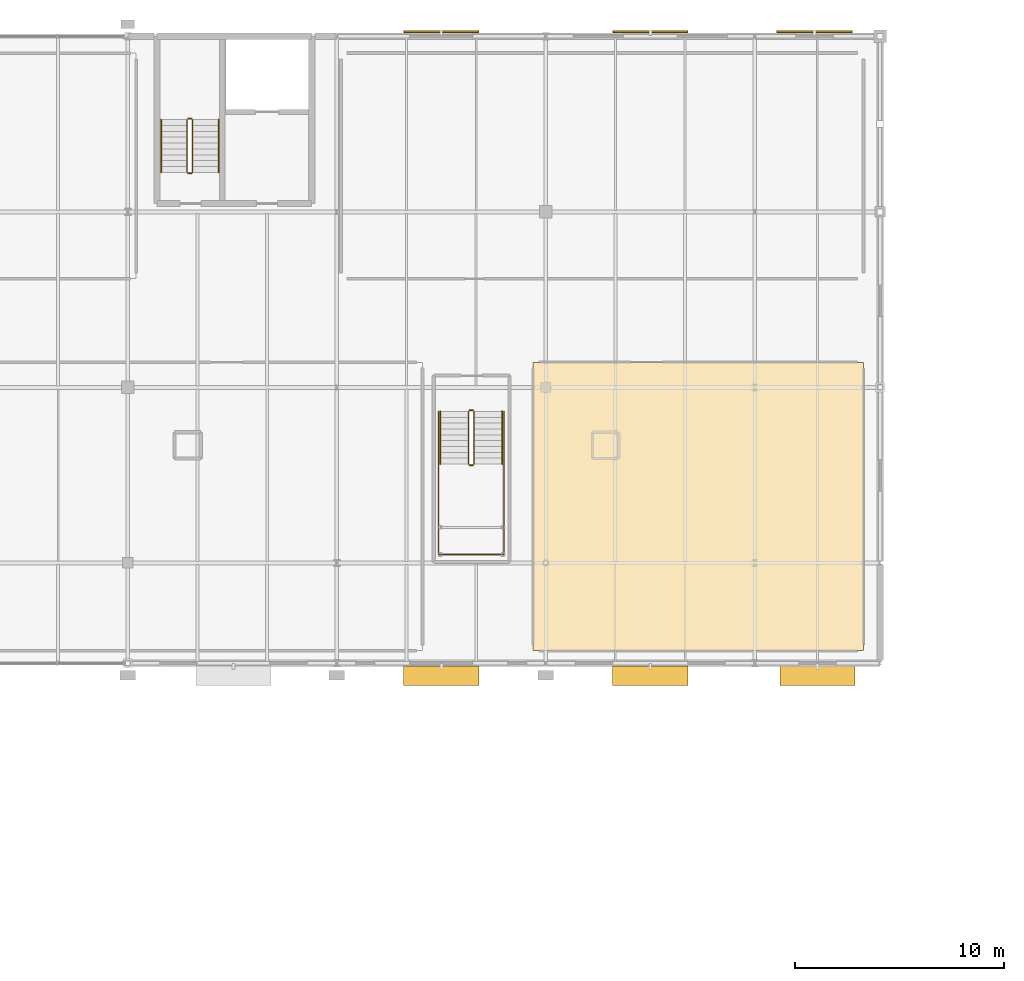
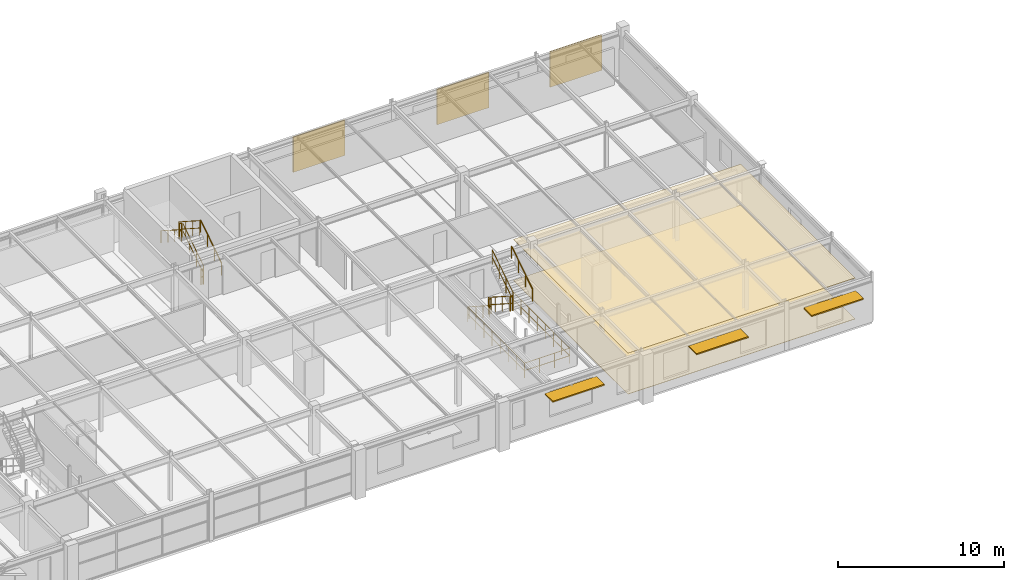
# One storey, part 109 of 109: 15 railings, 6 shading devices, 2 coverings.
"""IFC4 building model written with IfcOpenShell, lengths in metres."""

from ifc_helpers import new_model, si_unit, derived_unit, direction, frame, origin, origin_2d_with_axis, place, context, subcontext, project, spatial, polyline, rectangle, circle, outline, extrude, material, layer, layer_set, type_object, element, save


model = new_model("IFC4")

# Units and contexts
model_context = context("Model", 3, precision=1e-05, world=origin(), true_north=direction((0.0, 1.0)))
body_context = subcontext(model_context, "Body", "Model", "MODEL_VIEW")
ifc_project = project(units=[si_unit("LENGTHUNIT", "METRE"), si_unit("AREAUNIT", "SQUARE_METRE"), si_unit("VOLUMEUNIT", "CUBIC_METRE"), si_unit("PLANEANGLEUNIT", "RADIAN"), si_unit("MASSUNIT", "GRAM", prefix="KILO"), derived_unit("THERMALTRANSMITTANCEUNIT", [(si_unit("POWERUNIT", "WATT"), 1), (si_unit("LENGTHUNIT", "METRE"), -2), (si_unit("THERMODYNAMICTEMPERATUREUNIT", "KELVIN"), -1)])], contexts=[model_context])

# Site, building, storey
site_placement = place(None, origin())
site = spatial("IfcSite", under=ifc_project, at=site_placement, CompositionType="ELEMENT")
building_placement = place(site_placement, origin())
building = spatial("IfcBuilding", under=site, at=building_placement, Name="Cinnabar Yard Market Hall", CompositionType="ELEMENT")
storey_placement = place(building_placement, frame((0.0, 0.0, 8.39990234375)))
storey = spatial("IfcBuildingStorey", under=building, at=storey_placement, Name="L02", CompositionType="ELEMENT", Elevation=8.39990234375)

# Coverings
ifc_material_1 = material(Name="Perforated acoustic spotted-gum timber slats", Category="wood")
ifc_layer_1 = layer(ifc_material_1, 0.0400390625)
ifc_layer_set_1 = layer_set([ifc_layer_1], Name="Perforated acoustic spotted-gum timber slats")
covering_type_1 = type_object("IfcCoveringType", Name="COV-CLG1", PredefinedType="CEILING", material=ifc_layer_set_1)
covering_1_placement = place(storey_placement, frame((0.0, 0.0, 3.0)))
element("IfcCovering", 1, at=covering_1_placement, inside=storey, type_object=covering_type_1, Name="Ceiling Gastronomy and Cookbook Library", PredefinedType="CEILING", context=body_context, shape_type="SweptSolid", body=[
    extrude(outline(polyline([(145.39990234375, 108.60009765625), (161.199951171875, 108.60009765625), (161.199951171875, 122.39990234375), (145.39990234375, 122.39990234375), (145.39990234375, 108.60009765625)])), origin(), (0.0, 0.0, 1.0), 0.03515625),
])
ifc_material_2 = material(Name="Honed Adelaide red terrazzo flooring")
ifc_layer_2 = layer(ifc_material_2, 0.030029296875)
ifc_layer_set_2 = layer_set([ifc_layer_2], Name="Honed Adelaide red terrazzo flooring")
covering_type_2 = type_object("IfcCoveringType", Name="COV-FLR1", PredefinedType="FLOORING", material=ifc_layer_set_2)
covering_2_placement = place(storey_placement, origin())
element("IfcCovering", 2, at=covering_2_placement, inside=storey, type_object=covering_type_2, Name="Flooring Gastronomy and Cookbook Library", PredefinedType="FLOORING", context=body_context, shape_type="SweptSolid", body=[
    extrude(outline(polyline([(145.39990234375, 108.60009765625), (161.199951171875, 108.60009765625), (161.199951171875, 122.39990234375), (145.39990234375, 122.39990234375), (145.39990234375, 108.60009765625)])), origin(), (0.0, 0.0, 1.0), 0.025146484375),
])

# Railings
ifc_material_3 = material(Name="Laminated glass and bronze handrail", Category="glass")
ifc_layer_3 = layer(ifc_material_3, 0.070068359375)
ifc_layer_set_3 = layer_set([ifc_layer_3], Name="Laminated glass and bronze handrail")
railing_type_1 = type_object("IfcRailingType", Name="RL-G01", PredefinedType="BALUSTRADE", material=ifc_layer_set_3)
railing_1_placement = place(storey_placement, frame((142.300048828125, 120.050048828125, 0.18017578125)))
element("IfcRailing", 3, at=railing_1_placement, inside=storey, type_object=railing_type_1, Name="L02 ST-F6 stair guard 1", PredefinedType="BALUSTRADE", context=body_context, shape_type="SweptSolid", body=[
    extrude(circle(Radius=0.02392578125, at=origin_2d_with_axis()), frame((0.0, 0.0, 1.09619140625), z_axis=(0.0, -0.841199657755, 0.540724639528), x_axis=(1.0, 0.0, 0.0)), (0.0, 0.0, 1.0), 2.995849609375),
    extrude(circle(Radius=0.02392578125, at=origin_2d_with_axis()), frame((0.0, 0.0, 0.550048828125), z_axis=(0.0, -0.841199657755, 0.540724639528), x_axis=(1.0, 0.0, 0.0)), (0.0, 0.0, 1.0), 2.995849609375),
    extrude(circle(Radius=0.02099609375, at=origin_2d_with_axis()), origin(), (0.0, 0.0, 1.0), 1.072021484375),
    extrude(circle(Radius=0.02099609375, at=origin_2d_with_axis()), frame((0.0, -0.840087890625, 0.5400390625)), (0.0, 0.0, 1.0), 1.072021484375),
    extrude(circle(Radius=0.02099609375, at=origin_2d_with_axis()), frame((0.0, -1.679931640625, 1.079833984375)), (0.0, 0.0, 1.0), 1.072021484375),
    extrude(circle(Radius=0.02099609375, at=origin_2d_with_axis()), frame((0.0, -2.52001953125, 1.619873046875)), (0.0, 0.0, 1.0), 1.072021484375),
])
railing_2_placement = place(storey_placement, frame((142.35009765625, 117.47998046875, 1.800048828125)))
element("IfcRailing", 4, at=railing_2_placement, inside=storey, type_object=railing_type_1, Name="L02 ST-F6 stair guard 2", PredefinedType="BALUSTRADE", context=body_context, shape_type="SweptSolid", body=[
    extrude(circle(Radius=0.02392578125, at=origin_2d_with_axis()), frame((0.0, 0.0, 1.09619140625), z_axis=(1.0, 0.0, 0.0), x_axis=(0.0, 1.0, 0.0)), (0.0, 0.0, 1.0), 0.159912109375),
    extrude(circle(Radius=0.02392578125, at=origin_2d_with_axis()), frame((0.0, 0.0, 0.550048828125), z_axis=(1.0, 0.0, 0.0), x_axis=(0.0, 1.0, 0.0)), (0.0, 0.0, 1.0), 0.159912109375),
    extrude(circle(Radius=0.02099609375, at=origin_2d_with_axis()), origin(), (0.0, 0.0, 1.0), 1.072021484375),
    extrude(circle(Radius=0.02099609375, at=origin_2d_with_axis()), frame((0.159912109375, 0.0, 0.0)), (0.0, 0.0, 1.0), 1.072021484375),
])
railing_3_placement = place(storey_placement, frame((142.56005859375, 117.530029296875, 1.97998046875)))
element("IfcRailing", 5, at=railing_3_placement, inside=storey, type_object=railing_type_1, Name="L02 ST-F6 stair guard 3", PredefinedType="BALUSTRADE", context=body_context, shape_type="SweptSolid", body=[
    extrude(circle(Radius=0.02392578125, at=origin_2d_with_axis()), frame((0.0, 0.0, 1.09619140625), z_axis=(0.0, 0.841162588446, 0.540782303519), x_axis=(-1.0, 0.0, 0.0)), (0.0, 0.0, 1.0), 2.995849609375),
    extrude(circle(Radius=0.02392578125, at=origin_2d_with_axis()), frame((0.0, 0.0, 0.550048828125), z_axis=(0.0, 0.841162588446, 0.540782303519), x_axis=(-1.0, 0.0, 0.0)), (0.0, 0.0, 1.0), 2.995849609375),
    extrude(circle(Radius=0.02099609375, at=origin_2d_with_axis()), origin(), (0.0, 0.0, 1.0), 1.072021484375),
    extrude(circle(Radius=0.02099609375, at=origin_2d_with_axis()), frame((0.0, 0.840087890625, 0.5400390625)), (0.0, 0.0, 1.0), 1.072021484375),
    extrude(circle(Radius=0.02099609375, at=origin_2d_with_axis()), frame((0.0, 1.679931640625, 1.080078125)), (0.0, 0.0, 1.0), 1.072021484375),
    extrude(circle(Radius=0.02099609375, at=origin_2d_with_axis()), frame((0.0, 2.52001953125, 1.6201171875)), (0.0, 0.0, 1.0), 1.072021484375),
])
railing_4_placement = place(storey_placement, frame((142.35009765625, 120.10009765625, 0.0)))
element("IfcRailing", 6, at=railing_4_placement, inside=storey, type_object=railing_type_1, Name="L02 ST-F6 stair guard 4", PredefinedType="BALUSTRADE", context=body_context, shape_type="SweptSolid", body=[
    extrude(circle(Radius=0.02392578125, at=origin_2d_with_axis()), frame((0.0, 0.0, 1.09619140625), z_axis=(1.0, 0.0, 0.0), x_axis=(0.0, 1.0, 0.0)), (0.0, 0.0, 1.0), 0.159912109375),
    extrude(circle(Radius=0.02392578125, at=origin_2d_with_axis()), frame((0.0, 0.0, 0.550048828125), z_axis=(1.0, 0.0, 0.0), x_axis=(0.0, 1.0, 0.0)), (0.0, 0.0, 1.0), 0.159912109375),
    extrude(circle(Radius=0.02099609375, at=origin_2d_with_axis()), origin(), (0.0, 0.0, 1.0), 1.072021484375),
    extrude(circle(Radius=0.02099609375, at=origin_2d_with_axis()), frame((0.159912109375, 0.0, 0.0)), (0.0, 0.0, 1.0), 1.072021484375),
])
railing_5_placement = place(storey_placement, frame((140.860107421875, 120.050048828125, 0.0)))
element("IfcRailing", 7, at=railing_5_placement, inside=storey, type_object=railing_type_1, Name="Feature Stair ST-F6 L02 Well Guard 1", PredefinedType="BALUSTRADE", context=body_context, shape_type="SweptSolid", body=[
    extrude(circle(Radius=0.02392578125, at=origin_2d_with_axis()), frame((0.0, 0.0, 1.09619140625), z_axis=(0.0, -1.0, 0.0), x_axis=(1.0, 0.0, 0.0)), (0.0, 0.0, 1.0), 6.840087890625),
    extrude(circle(Radius=0.02392578125, at=origin_2d_with_axis()), frame((0.0, 0.0, 0.550048828125), z_axis=(0.0, -1.0, 0.0), x_axis=(1.0, 0.0, 0.0)), (0.0, 0.0, 1.0), 6.840087890625),
    extrude(circle(Radius=0.02099609375, at=origin_2d_with_axis()), origin(), (0.0, 0.0, 1.0), 1.072021484375),
    extrude(circle(Radius=0.02099609375, at=origin_2d_with_axis()), frame((0.0, -0.97705078125, 0.0)), (0.0, 0.0, 1.0), 1.072021484375),
    extrude(circle(Radius=0.02099609375, at=origin_2d_with_axis()), frame((0.0, -1.954345703125, 0.0)), (0.0, 0.0, 1.0), 1.072021484375),
    extrude(circle(Radius=0.02099609375, at=origin_2d_with_axis()), frame((0.0, -2.931396484375, 0.0)), (0.0, 0.0, 1.0), 1.072021484375),
    extrude(circle(Radius=0.02099609375, at=origin_2d_with_axis()), frame((0.0, -3.90869140625, 0.0)), (0.0, 0.0, 1.0), 1.072021484375),
    extrude(circle(Radius=0.02099609375, at=origin_2d_with_axis()), frame((0.0, -4.8857421875, 0.0)), (0.0, 0.0, 1.0), 1.072021484375),
    extrude(circle(Radius=0.02099609375, at=origin_2d_with_axis()), frame((0.0, -5.863037109375, 0.0)), (0.0, 0.0, 1.0), 1.072021484375),
    extrude(circle(Radius=0.02099609375, at=origin_2d_with_axis()), frame((0.0, -6.840087890625, 0.0)), (0.0, 0.0, 1.0), 1.072021484375),
])
railing_6_placement = place(storey_placement, frame((140.860107421875, 113.2099609375, 0.0)))
element("IfcRailing", 8, at=railing_6_placement, inside=storey, type_object=railing_type_1, Name="Feature Stair ST-F6 L02 Well Guard 2", PredefinedType="BALUSTRADE", context=body_context, shape_type="SweptSolid", body=[
    extrude(circle(Radius=0.02392578125, at=origin_2d_with_axis()), frame((0.0, 0.0, 1.09619140625), z_axis=(1.0, 0.0, 0.0), x_axis=(0.0, 1.0, 0.0)), (0.0, 0.0, 1.0), 3.139892578125),
    extrude(circle(Radius=0.02392578125, at=origin_2d_with_axis()), frame((0.0, 0.0, 0.550048828125), z_axis=(1.0, 0.0, 0.0), x_axis=(0.0, 1.0, 0.0)), (0.0, 0.0, 1.0), 3.139892578125),
    extrude(circle(Radius=0.02099609375, at=origin_2d_with_axis()), origin(), (0.0, 0.0, 1.0), 1.072021484375),
    extrude(circle(Radius=0.02099609375, at=origin_2d_with_axis()), frame((1.046630859375, 0.0, 0.0)), (0.0, 0.0, 1.0), 1.072021484375),
    extrude(circle(Radius=0.02099609375, at=origin_2d_with_axis()), frame((2.09326171875, 0.0, 0.0)), (0.0, 0.0, 1.0), 1.072021484375),
    extrude(circle(Radius=0.02099609375, at=origin_2d_with_axis()), frame((3.139892578125, 0.0, 0.0)), (0.0, 0.0, 1.0), 1.072021484375),
])
railing_7_placement = place(storey_placement, frame((144.0, 113.2099609375, 0.0)))
element("IfcRailing", 9, at=railing_7_placement, inside=storey, type_object=railing_type_1, Name="Feature Stair ST-F6 L02 Well Guard 3", PredefinedType="BALUSTRADE", context=body_context, shape_type="SweptSolid", body=[
    extrude(circle(Radius=0.02392578125, at=origin_2d_with_axis()), frame((0.0, 0.0, 1.09619140625), z_axis=(0.0, 1.0, 0.0), x_axis=(-1.0, 0.0, 0.0)), (0.0, 0.0, 1.0), 6.840087890625),
    extrude(circle(Radius=0.02392578125, at=origin_2d_with_axis()), frame((0.0, 0.0, 0.550048828125), z_axis=(0.0, 1.0, 0.0), x_axis=(-1.0, 0.0, 0.0)), (0.0, 0.0, 1.0), 6.840087890625),
    extrude(circle(Radius=0.02099609375, at=origin_2d_with_axis()), origin(), (0.0, 0.0, 1.0), 1.072021484375),
    extrude(circle(Radius=0.02099609375, at=origin_2d_with_axis()), frame((0.0, 0.97705078125, 0.0)), (0.0, 0.0, 1.0), 1.072021484375),
    extrude(circle(Radius=0.02099609375, at=origin_2d_with_axis()), frame((0.0, 1.954345703125, 0.0)), (0.0, 0.0, 1.0), 1.072021484375),
    extrude(circle(Radius=0.02099609375, at=origin_2d_with_axis()), frame((0.0, 2.931396484375, 0.0)), (0.0, 0.0, 1.0), 1.072021484375),
    extrude(circle(Radius=0.02099609375, at=origin_2d_with_axis()), frame((0.0, 3.90869140625, 0.0)), (0.0, 0.0, 1.0), 1.072021484375),
    extrude(circle(Radius=0.02099609375, at=origin_2d_with_axis()), frame((0.0, 4.8857421875, 0.0)), (0.0, 0.0, 1.0), 1.072021484375),
    extrude(circle(Radius=0.02099609375, at=origin_2d_with_axis()), frame((0.0, 5.863037109375, 0.0)), (0.0, 0.0, 1.0), 1.072021484375),
    extrude(circle(Radius=0.02099609375, at=origin_2d_with_axis()), frame((0.0, 6.840087890625, 0.0)), (0.0, 0.0, 1.0), 1.072021484375),
])
ifc_material_4 = material(Name="Galvanised steel Grade 300 (300 MPa) guardrail", Category="steel")
ifc_layer_4 = layer(ifc_material_4, 0.06005859375)
ifc_layer_set_4 = layer_set([ifc_layer_4], Name="Galvanised steel Grade 300 (300 MPa) guardrail")
railing_type_2 = type_object("IfcRailingType", Name="RL-G03", PredefinedType="GUARDRAIL", material=ifc_layer_set_4)
railing_8_placement = place(storey_placement, frame((129.10009765625, 131.489990234375, 0.18017578125)))
element("IfcRailing", 10, at=railing_8_placement, inside=storey, type_object=railing_type_2, Name="L02 ST-C6 stair guard 1", PredefinedType="GUARDRAIL", context=body_context, shape_type="SweptSolid", body=[
    extrude(circle(Radius=0.02392578125, at=origin_2d_with_axis()), frame((0.0, 0.0, 1.09619140625), z_axis=(0.0, 0.841199657755, 0.540724639528), x_axis=(-1.0, 0.0, 0.0)), (0.0, 0.0, 1.0), 2.995849609375),
    extrude(circle(Radius=0.02392578125, at=origin_2d_with_axis()), frame((0.0, 0.0, 0.550048828125), z_axis=(0.0, 0.841199657755, 0.540724639528), x_axis=(-1.0, 0.0, 0.0)), (0.0, 0.0, 1.0), 2.995849609375),
    extrude(circle(Radius=0.02099609375, at=origin_2d_with_axis()), origin(), (0.0, 0.0, 1.0), 1.072021484375),
    extrude(circle(Radius=0.02099609375, at=origin_2d_with_axis()), frame((0.0, 0.840087890625, 0.5400390625)), (0.0, 0.0, 1.0), 1.072021484375),
    extrude(circle(Radius=0.02099609375, at=origin_2d_with_axis()), frame((0.0, 1.679931640625, 1.079833984375)), (0.0, 0.0, 1.0), 1.072021484375),
    extrude(circle(Radius=0.02099609375, at=origin_2d_with_axis()), frame((0.0, 2.52001953125, 1.619873046875)), (0.0, 0.0, 1.0), 1.072021484375),
])
railing_9_placement = place(storey_placement, frame((129.050048828125, 134.06005859375, 1.800048828125)))
element("IfcRailing", 11, at=railing_9_placement, inside=storey, type_object=railing_type_2, Name="L02 ST-C6 stair guard 2", PredefinedType="GUARDRAIL", context=body_context, shape_type="SweptSolid", body=[
    extrude(circle(Radius=0.02392578125, at=origin_2d_with_axis()), frame((0.0, 0.0, 1.09619140625), z_axis=(-1.0, 0.0, 0.0), x_axis=(0.0, -1.0, 0.0)), (0.0, 0.0, 1.0), 0.16015625),
    extrude(circle(Radius=0.02392578125, at=origin_2d_with_axis()), frame((0.0, 0.0, 0.550048828125), z_axis=(-1.0, 0.0, 0.0), x_axis=(0.0, -1.0, 0.0)), (0.0, 0.0, 1.0), 0.16015625),
    extrude(circle(Radius=0.02099609375, at=origin_2d_with_axis()), origin(), (0.0, 0.0, 1.0), 1.072021484375),
    extrude(circle(Radius=0.02099609375, at=origin_2d_with_axis()), frame((-0.16015625, 0.0, 0.0)), (0.0, 0.0, 1.0), 1.072021484375),
])
railing_10_placement = place(storey_placement, frame((128.840087890625, 134.010009765625, 1.97998046875)))
element("IfcRailing", 12, at=railing_10_placement, inside=storey, type_object=railing_type_2, Name="L02 ST-C6 stair guard 3", PredefinedType="GUARDRAIL", context=body_context, shape_type="SweptSolid", body=[
    extrude(circle(Radius=0.02392578125, at=origin_2d_with_axis()), frame((0.0, 0.0, 1.09619140625), z_axis=(0.0, -0.841162588446, 0.540782303519), x_axis=(1.0, 0.0, 0.0)), (0.0, 0.0, 1.0), 2.995849609375),
    extrude(circle(Radius=0.02392578125, at=origin_2d_with_axis()), frame((0.0, 0.0, 0.550048828125), z_axis=(0.0, -0.841162588446, 0.540782303519), x_axis=(1.0, 0.0, 0.0)), (0.0, 0.0, 1.0), 2.995849609375),
    extrude(circle(Radius=0.02099609375, at=origin_2d_with_axis()), origin(), (0.0, 0.0, 1.0), 1.072021484375),
    extrude(circle(Radius=0.02099609375, at=origin_2d_with_axis()), frame((0.0, -0.840087890625, 0.5400390625)), (0.0, 0.0, 1.0), 1.072021484375),
    extrude(circle(Radius=0.02099609375, at=origin_2d_with_axis()), frame((0.0, -1.679931640625, 1.080078125)), (0.0, 0.0, 1.0), 1.072021484375),
    extrude(circle(Radius=0.02099609375, at=origin_2d_with_axis()), frame((0.0, -2.52001953125, 1.6201171875)), (0.0, 0.0, 1.0), 1.072021484375),
])
railing_11_placement = place(storey_placement, frame((129.050048828125, 131.43994140625, 0.0)))
element("IfcRailing", 13, at=railing_11_placement, inside=storey, type_object=railing_type_2, Name="L02 ST-C6 stair guard 4", PredefinedType="GUARDRAIL", context=body_context, shape_type="SweptSolid", body=[
    extrude(circle(Radius=0.02392578125, at=origin_2d_with_axis()), frame((0.0, 0.0, 1.09619140625), z_axis=(-1.0, 0.0, 0.0), x_axis=(0.0, -1.0, 0.0)), (0.0, 0.0, 1.0), 0.16015625),
    extrude(circle(Radius=0.02392578125, at=origin_2d_with_axis()), frame((0.0, 0.0, 0.550048828125), z_axis=(-1.0, 0.0, 0.0), x_axis=(0.0, -1.0, 0.0)), (0.0, 0.0, 1.0), 0.16015625),
    extrude(circle(Radius=0.02099609375, at=origin_2d_with_axis()), origin(), (0.0, 0.0, 1.0), 1.072021484375),
    extrude(circle(Radius=0.02099609375, at=origin_2d_with_axis()), frame((-0.16015625, 0.0, 0.0)), (0.0, 0.0, 1.0), 1.072021484375),
])
ifc_material_5 = material(Name="Brushed stainless steel handrail", Category="steel")
ifc_layer_5 = layer(ifc_material_5, 0.050048828125)
ifc_layer_set_5 = layer_set([ifc_layer_5], Name="Brushed stainless steel handrail")
railing_type_3 = type_object("IfcRailingType", Name="RL-HR1", PredefinedType="HANDRAIL", material=ifc_layer_set_5)
railing_12_placement = place(storey_placement, frame((130.35009765625, 131.489990234375, 0.18017578125)))
element("IfcRailing", 14, at=railing_12_placement, inside=storey, type_object=railing_type_3, Name="L02 ST-C6 stair handrail 1", PredefinedType="HANDRAIL", context=body_context, shape_type="SweptSolid", body=[
    extrude(circle(Radius=0.02392578125, at=origin_2d_with_axis()), frame((0.0, 0.0, 0.8759765625), z_axis=(0.0, 0.841199657755, 0.540724639528), x_axis=(-1.0, 0.0, 0.0)), (0.0, 0.0, 1.0), 2.995849609375),
    extrude(circle(Radius=0.02099609375, at=origin_2d_with_axis()), origin(), (0.0, 0.0, 1.0), 0.851806640625),
    extrude(circle(Radius=0.02099609375, at=origin_2d_with_axis()), frame((0.0, 0.840087890625, 0.5400390625)), (0.0, 0.0, 1.0), 0.851806640625),
    extrude(circle(Radius=0.02099609375, at=origin_2d_with_axis()), frame((0.0, 1.679931640625, 1.079833984375)), (0.0, 0.0, 1.0), 0.851806640625),
    extrude(circle(Radius=0.02099609375, at=origin_2d_with_axis()), frame((0.0, 2.52001953125, 1.619873046875)), (0.0, 0.0, 1.0), 0.851806640625),
])
railing_13_placement = place(storey_placement, frame((127.590087890625, 134.010009765625, 1.97998046875)))
element("IfcRailing", 15, at=railing_13_placement, inside=storey, type_object=railing_type_3, Name="L02 ST-C6 stair handrail 2", PredefinedType="HANDRAIL", context=body_context, shape_type="SweptSolid", body=[
    extrude(circle(Radius=0.02392578125, at=origin_2d_with_axis()), frame((0.0, 0.0, 0.8759765625), z_axis=(0.0, -0.841162588446, 0.540782303519), x_axis=(1.0, 0.0, 0.0)), (0.0, 0.0, 1.0), 2.995849609375),
    extrude(circle(Radius=0.02099609375, at=origin_2d_with_axis()), origin(), (0.0, 0.0, 1.0), 0.851806640625),
    extrude(circle(Radius=0.02099609375, at=origin_2d_with_axis()), frame((0.0, -0.840087890625, 0.5400390625)), (0.0, 0.0, 1.0), 0.851806640625),
    extrude(circle(Radius=0.02099609375, at=origin_2d_with_axis()), frame((0.0, -1.679931640625, 1.080078125)), (0.0, 0.0, 1.0), 0.851806640625),
    extrude(circle(Radius=0.02099609375, at=origin_2d_with_axis()), frame((0.0, -2.52001953125, 1.6201171875)), (0.0, 0.0, 1.0), 0.851806640625),
])
railing_14_placement = place(storey_placement, frame((140.949951171875, 120.050048828125, 0.18017578125)))
element("IfcRailing", 16, at=railing_14_placement, inside=storey, type_object=railing_type_3, Name="L02 ST-F6 stair handrail 1", PredefinedType="HANDRAIL", context=body_context, shape_type="SweptSolid", body=[
    extrude(circle(Radius=0.02392578125, at=origin_2d_with_axis()), frame((0.0, 0.0, 0.8759765625), z_axis=(0.0, -0.841199657755, 0.540724639528), x_axis=(1.0, 0.0, 0.0)), (0.0, 0.0, 1.0), 2.995849609375),
    extrude(circle(Radius=0.02099609375, at=origin_2d_with_axis()), origin(), (0.0, 0.0, 1.0), 0.851806640625),
    extrude(circle(Radius=0.02099609375, at=origin_2d_with_axis()), frame((0.0, -0.840087890625, 0.5400390625)), (0.0, 0.0, 1.0), 0.851806640625),
    extrude(circle(Radius=0.02099609375, at=origin_2d_with_axis()), frame((0.0, -1.679931640625, 1.079833984375)), (0.0, 0.0, 1.0), 0.851806640625),
    extrude(circle(Radius=0.02099609375, at=origin_2d_with_axis()), frame((0.0, -2.52001953125, 1.619873046875)), (0.0, 0.0, 1.0), 0.851806640625),
])
railing_15_placement = place(storey_placement, frame((143.909912109375, 117.530029296875, 1.97998046875)))
element("IfcRailing", 17, at=railing_15_placement, inside=storey, type_object=railing_type_3, Name="L02 ST-F6 stair handrail 2", PredefinedType="HANDRAIL", context=body_context, shape_type="SweptSolid", body=[
    extrude(circle(Radius=0.02392578125, at=origin_2d_with_axis()), frame((0.0, 0.0, 0.8759765625), z_axis=(0.0, 0.841162588446, 0.540782303519), x_axis=(-1.0, 0.0, 0.0)), (0.0, 0.0, 1.0), 2.995849609375),
    extrude(circle(Radius=0.02099609375, at=origin_2d_with_axis()), origin(), (0.0, 0.0, 1.0), 0.851806640625),
    extrude(circle(Radius=0.02099609375, at=origin_2d_with_axis()), frame((0.0, 0.840087890625, 0.5400390625)), (0.0, 0.0, 1.0), 0.851806640625),
    extrude(circle(Radius=0.02099609375, at=origin_2d_with_axis()), frame((0.0, 1.679931640625, 1.080078125)), (0.0, 0.0, 1.0), 0.851806640625),
    extrude(circle(Radius=0.02099609375, at=origin_2d_with_axis()), frame((0.0, 2.52001953125, 1.6201171875)), (0.0, 0.0, 1.0), 0.851806640625),
])

# Shading devices
ifc_material_6 = material(Name="Projecting sandstone-clad steel chhajja hood", Category="masonry")
shading_device_type_1 = type_object("IfcShadingDeviceType", Name="SHD-CHJ1", PredefinedType="SHUTTER", material=ifc_material_6)
for number, where, z_axis, x_axis, name in (
    (18, (141.0, 107.39990234375, 2.59521484375), (0.0, 0.0, 1.0), (1.0, 0.0, 0.0), "Wing South Chhajja Hood L02 Bay 8"),
    (19, (150.99951171875, 107.39990234375, 2.59521484375), (0.0, 0.0, 1.0), (1.0, 0.0, 0.0), "Wing South Chhajja Hood L02 Bay 9"),
    (20, (159.00048828125, 107.39990234375, 2.59521484375), (0.0, 0.0, 1.0), (1.0, 0.0, 0.0), "Wing South Chhajja Hood L02 Bay 10"),
):
    element("IfcShadingDevice", number, at=place(storey_placement, frame(where, z_axis=z_axis, x_axis=x_axis)), inside=storey, type_object=shading_device_type_1, Name=name, PredefinedType="SHUTTER", context=body_context, shape_type="SweptSolid", body=[
        extrude(rectangle(XDim=3.60009765625, YDim=0.949951171875, at=origin_2d_with_axis()), origin(), (0.0, 0.0, 1.0), 0.090087890625),
    ])
ifc_material_7 = material(Name="Perforated weathering bronze aluminium jali screen", Category="aluminium")
shading_device_type_2 = type_object("IfcShadingDeviceType", Name="SHD-JALI1", PredefinedType="JALOUSIE", material=ifc_material_7)
for number, where, z_axis, x_axis, name in (
    (21, (140.9990234375, 138.219970703125, 0.550048828125), (0.0, 0.0, 1.0), (1.0, 0.0, 0.0), "Wing North Jali Screen L02 Bay 8"),
    (22, (151.0009765625, 138.219970703125, 0.550048828125), (0.0, 0.0, 1.0), (1.0, 0.0, 0.0), "Wing North Jali Screen L02 Bay 9"),
    (23, (158.85302734375, 138.219970703125, 0.550048828125), (0.0, 0.0, 1.0), (1.0, 0.0, 0.0), "Wing North Jali Screen L02 Bay 10"),
):
    element("IfcShadingDevice", number, at=place(storey_placement, frame(where, z_axis=z_axis, x_axis=x_axis)), inside=storey, type_object=shading_device_type_2, Name=name, PredefinedType="JALOUSIE", context=body_context, shape_type="SweptSolid", body=[
        extrude(rectangle(XDim=3.60009765625, YDim=0.080078125, at=origin_2d_with_axis()), origin(), (0.0, 0.0, 1.0), 2.60009765625),
    ])

save(model, "model.ifc")
